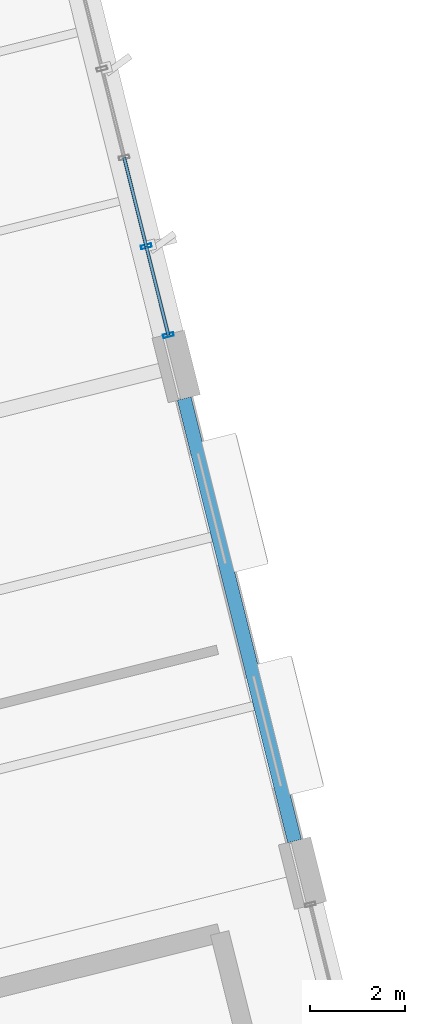
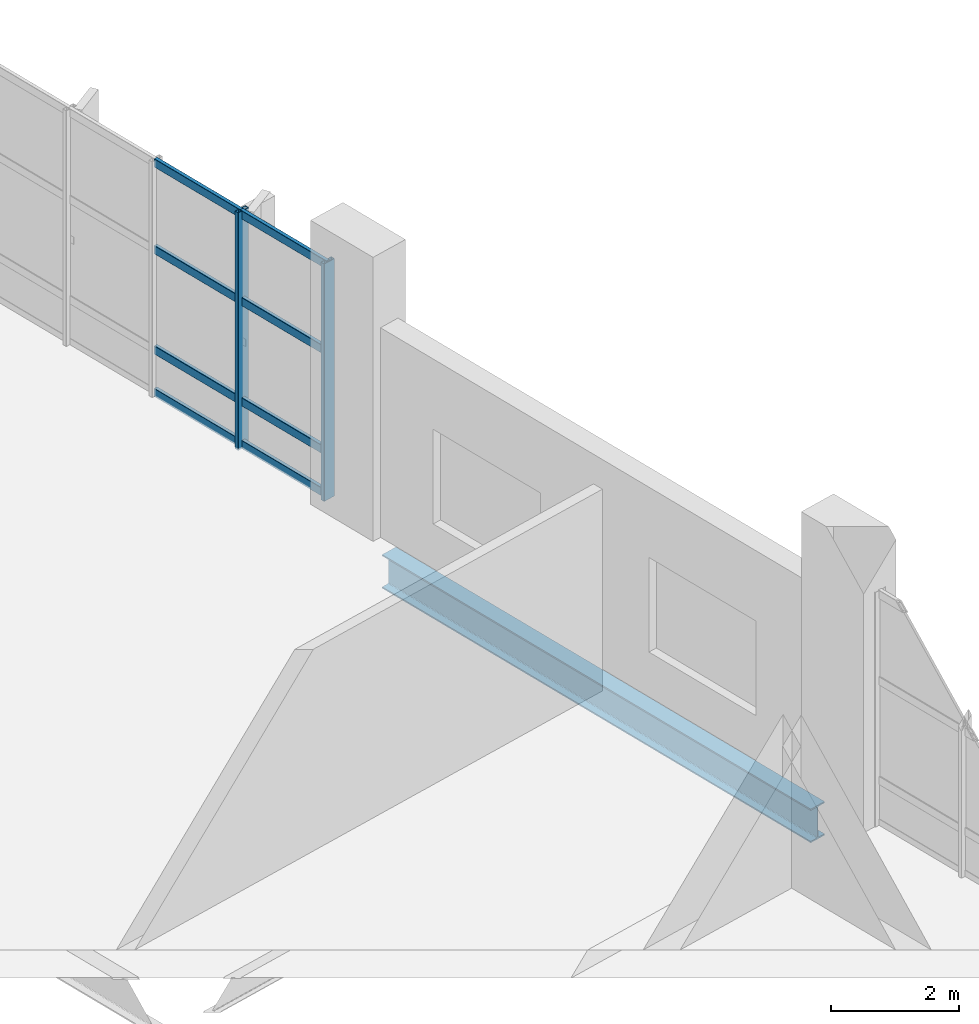
# One storey, part 99 of 176: 10 members, 1 beam, 1 element without a shape of its own.
"""IFC4 building model written with IfcOpenShell, lengths in metres."""

from ifc_helpers import new_model, si_unit, direction, frame, origin, origin_2d, place, context, subcontext, project, spatial, hollow_rectangle, i_section, extrude, material, layer, layer_set, material_profile, profile_set, type_object, element, aggregate, save


model = new_model("IFC4")

# Units and contexts
model_context = context("Model", 3, precision=1e-05, world=origin(), true_north=direction((0.0, 1.0)))
body_context = subcontext(model_context, "Body", "Model", "MODEL_VIEW")
ifc_project = project(units=[si_unit("LENGTHUNIT", "METRE"), si_unit("AREAUNIT", "SQUARE_METRE"), si_unit("VOLUMEUNIT", "CUBIC_METRE"), si_unit("PLANEANGLEUNIT", "RADIAN"), si_unit("MASSUNIT", "GRAM", prefix="KILO")], contexts=[model_context])

# Site, building, storey
site_placement = place(None, origin())
site = spatial("IfcSite", under=ifc_project, at=site_placement, CompositionType="ELEMENT")
building_placement = place(site_placement, origin())
building = spatial("IfcBuilding", under=site, at=building_placement, Name="Khorjan Park Terminus", CompositionType="ELEMENT")
storey_placement = place(building_placement, frame((0.0, 0.0, 6.0)))
storey = spatial("IfcBuildingStorey", under=building, at=storey_placement, Name="L01", CompositionType="ELEMENT", Elevation=6.0)

# Beam
ifc_material_1 = material(Name="Steel S355", Category="steel")
ifc_material_profile_1 = material_profile(ifc_material_1, i_section(OverallWidth=0.3, OverallDepth=0.64, WebThickness=0.0135, FlangeThickness=0.026, FilletRadius=0.027, at=origin_2d()), Name="HEA 650")
ifc_profile_set_1 = profile_set([ifc_material_profile_1], Name="Steel S355")
beam_type = type_object("IfcBeamType", Name="BM-HEA650", PredefinedType="BEAM", material=ifc_profile_set_1)
beam_placement = place(storey_placement, frame((221.888, 50.661, -0.67), z_axis=(-0.241925915978, 0.970294723874, 0.0), x_axis=(-0.970294723874, -0.241925915978, 0.0)))
element("IfcBeam", 1, at=beam_placement, inside=storey, type_object=beam_type, Name="Primary skew-grid floor girder SB-A65 (L01)", PredefinedType="BEAM", context=body_context, shape_type="SweptSolid", body=[
    extrude(i_section(OverallWidth=0.3, OverallDepth=0.64, WebThickness=0.0135, FlangeThickness=0.026, FilletRadius=0.027, at=origin_2d()), origin(), (0.0, 0.0, 1.0), 9.61),
])

# Curtain wall, members
ifc_material_2 = material(Name="Anodized Bronze Aluminium", Category="aluminium")
ifc_layer = layer(ifc_material_2, 0.22)
ifc_layer_set = layer_set([ifc_layer], Name="Anodized Bronze Aluminium")
curtain_wall_type = type_object("IfcCurtainWallType", Name="CW-OPS-B", PredefinedType="NOTDEFINED", material=ifc_layer_set)
curtain_wall_placement = place(storey_placement, origin())
curtain_wall = element("IfcCurtainWall", 2, at=curtain_wall_placement, inside=storey, type_object=curtain_wall_type, Name="Unitized curtain wall CW-B (CW-V5-E-L01-B05)", PredefinedType="NOTDEFINED")
ifc_material_profile_2 = material_profile(ifc_material_2, hollow_rectangle(XDim=0.075, YDim=0.225, WallThickness=0.005, InnerFilletRadius=0.005, OuterFilletRadius=0.01, at=origin_2d()), Name="ALM 75x225x5")
ifc_profile_set_2 = profile_set([ifc_material_profile_2], Name="Anodized Bronze Aluminium")
member_type_1 = type_object("IfcMemberType", Name="ML-ALM-225", PredefinedType="MULLION", material=ifc_profile_set_2)
member_1_placement = place(storey_placement, frame((219.2305, 61.3198, -0.035), z_axis=(0.0, 0.0, 1.0), x_axis=(-0.241935125171, 0.970292427678, 0.0)))
member_1 = element("IfcMember", 3, at=member_1_placement, type_object=member_type_1, Name="Curtain-wall mullion ML-22 (CW-V5-E-L01-B05-0)", PredefinedType="MULLION", context=body_context, shape_type="SweptSolid", body=[
    extrude(hollow_rectangle(XDim=0.075, YDim=0.225, WallThickness=0.005, InnerFilletRadius=0.005, OuterFilletRadius=0.01, at=origin_2d()), origin(), (0.0, 0.0, 1.0), 4.515),
])
member_2_placement = place(storey_placement, frame((218.7641, 63.1905, -0.035), z_axis=(0.0, 0.0, 1.0), x_axis=(-0.241935125171, 0.970292427678, 0.0)))
member_2 = element("IfcMember", 4, at=member_2_placement, type_object=member_type_1, Name="Curtain-wall mullion ML-22 (CW-V5-E-L01-B05-1)", PredefinedType="MULLION", context=body_context, shape_type="SweptSolid", body=[
    extrude(hollow_rectangle(XDim=0.075, YDim=0.225, WallThickness=0.005, InnerFilletRadius=0.005, OuterFilletRadius=0.01, at=origin_2d()), origin(), (0.0, 0.0, 1.0), 4.515),
])
ifc_material_profile_3 = material_profile(ifc_material_2, hollow_rectangle(XDim=0.07, YDim=0.16, WallThickness=0.004, InnerFilletRadius=0.004, OuterFilletRadius=0.008, at=origin_2d()), Name="ALT 70x160x4")
ifc_profile_set_3 = profile_set([ifc_material_profile_3], Name="Anodized Bronze Aluminium")
member_type_2 = type_object("IfcMemberType", Name="TR-ALT-160", PredefinedType="USERDEFINED", material=ifc_profile_set_3)
member_3_placement = place(storey_placement, frame((219.2305, 61.3198, 0.04), z_axis=(-0.241913157049, 0.970297905, 0.0), x_axis=(-0.970297905, -0.241913157049, 0.0)))
member_3 = element("IfcMember", 5, at=member_3_placement, type_object=member_type_2, Name="Curtain-wall transom TR-16 (CW-V5-E-L01-B05-0-1)", ObjectType="TRANSOM", PredefinedType="USERDEFINED", context=body_context, shape_type="SweptSolid", body=[
    extrude(hollow_rectangle(XDim=0.07, YDim=0.16, WallThickness=0.004, InnerFilletRadius=0.004, OuterFilletRadius=0.008, at=origin_2d()), origin(), (0.0, 0.0, 1.0), 1.928),
])
member_4_placement = place(storey_placement, frame((219.2305, 61.3198, 0.85), z_axis=(-0.241913157049, 0.970297905, 0.0), x_axis=(-0.970297905, -0.241913157049, 0.0)))
member_4 = element("IfcMember", 6, at=member_4_placement, type_object=member_type_2, Name="Curtain-wall transom TR-16 (CW-V5-E-L01-B05-0-2)", ObjectType="TRANSOM", PredefinedType="USERDEFINED", context=body_context, shape_type="SweptSolid", body=[
    extrude(hollow_rectangle(XDim=0.07, YDim=0.16, WallThickness=0.004, InnerFilletRadius=0.004, OuterFilletRadius=0.008, at=origin_2d()), origin(), (0.0, 0.0, 1.0), 1.928),
])
member_5_placement = place(storey_placement, frame((219.2305, 61.3198, 2.7559), z_axis=(-0.241913157049, 0.970297905, 0.0), x_axis=(-0.970297905, -0.241913157049, 0.0)))
member_5 = element("IfcMember", 7, at=member_5_placement, type_object=member_type_2, Name="Curtain-wall transom TR-16 (CW-V5-E-L01-B05-0-3)", ObjectType="TRANSOM", PredefinedType="USERDEFINED", context=body_context, shape_type="SweptSolid", body=[
    extrude(hollow_rectangle(XDim=0.07, YDim=0.16, WallThickness=0.004, InnerFilletRadius=0.004, OuterFilletRadius=0.008, at=origin_2d()), origin(), (0.0, 0.0, 1.0), 1.928),
])
member_6_placement = place(storey_placement, frame((219.2305, 61.3198, 4.405), z_axis=(-0.241913157049, 0.970297905, 0.0), x_axis=(-0.970297905, -0.241913157049, 0.0)))
member_6 = element("IfcMember", 8, at=member_6_placement, type_object=member_type_2, Name="Curtain-wall transom TR-16 (CW-V5-E-L01-B05-0-4)", ObjectType="TRANSOM", PredefinedType="USERDEFINED", context=body_context, shape_type="SweptSolid", body=[
    extrude(hollow_rectangle(XDim=0.07, YDim=0.16, WallThickness=0.004, InnerFilletRadius=0.004, OuterFilletRadius=0.008, at=origin_2d()), origin(), (0.0, 0.0, 1.0), 1.928),
])
member_7_placement = place(storey_placement, frame((218.7641, 63.1905, 0.04), z_axis=(-0.241961988875, 0.97028572902, 0.0), x_axis=(-0.97028572902, -0.241961988875, 0.0)))
member_7 = element("IfcMember", 9, at=member_7_placement, type_object=member_type_2, Name="Curtain-wall transom TR-16 (CW-V5-E-L01-B05-1-1)", ObjectType="TRANSOM", PredefinedType="USERDEFINED", context=body_context, shape_type="SweptSolid", body=[
    extrude(hollow_rectangle(XDim=0.07, YDim=0.16, WallThickness=0.004, InnerFilletRadius=0.004, OuterFilletRadius=0.008, at=origin_2d()), origin(), (0.0, 0.0, 1.0), 1.928),
])
member_8_placement = place(storey_placement, frame((218.7641, 63.1905, 0.85), z_axis=(-0.241961988875, 0.97028572902, 0.0), x_axis=(-0.97028572902, -0.241961988875, 0.0)))
member_8 = element("IfcMember", 10, at=member_8_placement, type_object=member_type_2, Name="Curtain-wall transom TR-16 (CW-V5-E-L01-B05-1-2)", ObjectType="TRANSOM", PredefinedType="USERDEFINED", context=body_context, shape_type="SweptSolid", body=[
    extrude(hollow_rectangle(XDim=0.07, YDim=0.16, WallThickness=0.004, InnerFilletRadius=0.004, OuterFilletRadius=0.008, at=origin_2d()), origin(), (0.0, 0.0, 1.0), 1.928),
])
member_9_placement = place(storey_placement, frame((218.7641, 63.1905, 2.7559), z_axis=(-0.241961988875, 0.97028572902, 0.0), x_axis=(-0.97028572902, -0.241961988875, 0.0)))
member_9 = element("IfcMember", 11, at=member_9_placement, type_object=member_type_2, Name="Curtain-wall transom TR-16 (CW-V5-E-L01-B05-1-3)", ObjectType="TRANSOM", PredefinedType="USERDEFINED", context=body_context, shape_type="SweptSolid", body=[
    extrude(hollow_rectangle(XDim=0.07, YDim=0.16, WallThickness=0.004, InnerFilletRadius=0.004, OuterFilletRadius=0.008, at=origin_2d()), origin(), (0.0, 0.0, 1.0), 1.928),
])
member_10_placement = place(storey_placement, frame((218.7641, 63.1905, 4.405), z_axis=(-0.241961988875, 0.97028572902, 0.0), x_axis=(-0.97028572902, -0.241961988875, 0.0)))
member_10 = element("IfcMember", 12, at=member_10_placement, type_object=member_type_2, Name="Curtain-wall transom TR-16 (CW-V5-E-L01-B05-1-4)", ObjectType="TRANSOM", PredefinedType="USERDEFINED", context=body_context, shape_type="SweptSolid", body=[
    extrude(hollow_rectangle(XDim=0.07, YDim=0.16, WallThickness=0.004, InnerFilletRadius=0.004, OuterFilletRadius=0.008, at=origin_2d()), origin(), (0.0, 0.0, 1.0), 1.928),
])
aggregate(curtain_wall, [member_1, member_2, member_3, member_4, member_5, member_6, member_7, member_8, member_9, member_10])

save(model, "model.ifc")
